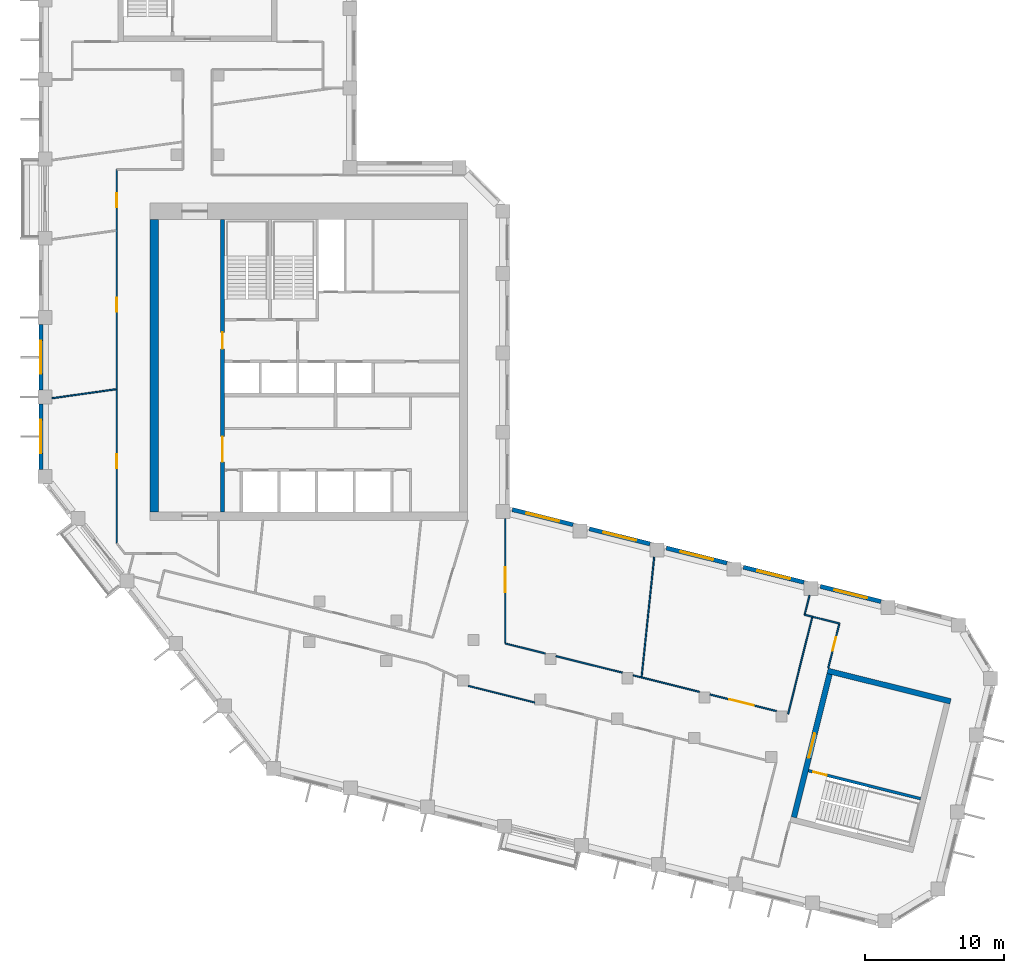
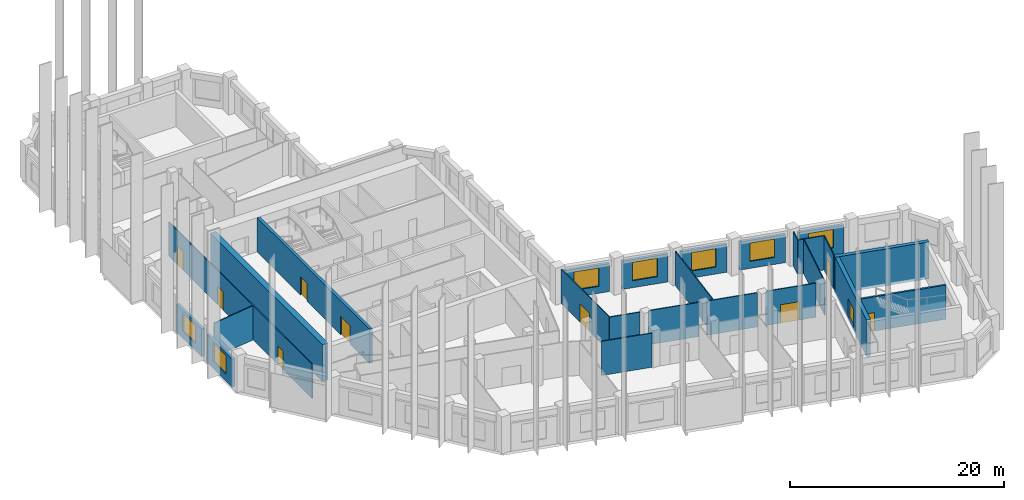
# One storey, part 4 of 9: 26 walls, 10 doors, 7 windows, 17 openings.
"""IFC4 building model written with IfcOpenShell, lengths in metres."""

from ifc_helpers import new_model, si_unit, direction, frame, frame_2d, origin, place, context, subcontext, project, spatial, rectangle, extrude, material, layer, layer_set, type_object, element, fill, save


model = new_model("IFC4")

# Units and contexts
model_context = context("Model", 3, precision=1e-05, world=origin(), true_north=direction((0.0, 1.0)))
body_context = subcontext(model_context, "Body", "Model", "MODEL_VIEW")
ifc_project = project(units=[si_unit("LENGTHUNIT", "METRE"), si_unit("AREAUNIT", "SQUARE_METRE"), si_unit("VOLUMEUNIT", "CUBIC_METRE"), si_unit("PLANEANGLEUNIT", "RADIAN"), si_unit("MASSUNIT", "GRAM", prefix="KILO")], contexts=[model_context])

# Site, building, storey
site_placement = place(None, origin())
site = spatial("IfcSite", under=ifc_project, at=site_placement, CompositionType="ELEMENT")
building_placement = place(site_placement, origin())
building = spatial("IfcBuilding", under=site, at=building_placement, Name="Meshkara Civic Tower", CompositionType="ELEMENT")
storey_placement = place(building_placement, frame((0.0, 0.0, 323.39990234375)))
storey = spatial("IfcBuildingStorey", under=building, at=storey_placement, Name="L74", CompositionType="ELEMENT", Elevation=323.39990234375)

# Wall
ifc_material_1 = material(Name="Concrete C60", Category="concrete")
ifc_layer_1 = layer(ifc_material_1, 0.60009765625)
ifc_layer_set_1 = layer_set([ifc_layer_1], Name="Core ring wall 600 C60")
wall_type_1 = type_object("IfcWallType", Name="Core ring wall 600 C60", PredefinedType="SHEAR", material=ifc_layer_set_1)
wall_1_placement = place(storey_placement, frame((8.300048828125, 14.699951171875, -0.2998046875), z_axis=(0.0, 0.0, 1.0), x_axis=(0.0, 1.0, 0.0)))
element("IfcWall", 1, at=wall_1_placement, inside=storey, type_object=wall_type_1, Name="L74-C003", PredefinedType="SHEAR", context=body_context, shape_type="SweptSolid", body=[
    extrude(rectangle(XDim=21.0, YDim=0.60009765625, at=frame_2d((10.5, 0.0))), origin(), (0.0, 0.0, 1.0), 4.199951171875),
])

# Wall, openings, doors
ifc_material_2 = material(Name="Concrete C60", Category="concrete")
ifc_layer_2 = layer(ifc_material_2, 0.300048828125)
ifc_layer_set_2 = layer_set([ifc_layer_2], Name="Core shear wall 300 C60")
wall_type_2 = type_object("IfcWallType", Name="Core shear wall 300 C60", PredefinedType="SHEAR", material=ifc_layer_set_2)
wall_2_placement = place(storey_placement, frame((13.199951171875, 14.699951171875, 0.0), z_axis=(0.0, 0.0, 1.0), x_axis=(0.0, 1.0, 0.0)))
wall_2 = element("IfcWall", 2, at=wall_2_placement, inside=storey, type_object=wall_type_2, Name="L74-C011", PredefinedType="SHEAR", context=body_context, shape_type="SweptSolid", body=[
    extrude(rectangle(XDim=21.0, YDim=0.300048828125, at=frame_2d((10.5, 0.0))), origin(), (0.0, 0.0, 1.0), 3.900146484375),
])
opening_1_placement = place(wall_2_placement, frame((3.60009765625, 0.0, 0.0)))
opening_1 = element("IfcOpeningElement", 3, at=opening_1_placement, cuts=wall_2, Name="Opening L74-K019", PredefinedType="OPENING", context=body_context, shape_type="SweptSolid", body=[
    extrude(rectangle(XDim=1.800048828125, YDim=2.10009765625, at=frame_2d((0.89990234375, 1.050048828125))), frame((0.0, 0.159912109375, 0.0), z_axis=(0.0, -1.0, 0.0), x_axis=(1.0, 0.0, 0.0)), (0.0, 0.0, 1.0), 0.320068359375),
])
opening_2_placement = place(wall_2_placement, frame((11.699951171875, 0.0, 0.0)))
opening_2 = element("IfcOpeningElement", 4, at=opening_2_placement, cuts=wall_2, Name="Opening L74-K020", PredefinedType="OPENING", context=body_context, shape_type="SweptSolid", body=[
    extrude(rectangle(XDim=1.199951171875, YDim=2.10009765625, at=frame_2d((0.60009765625, 1.050048828125))), frame((0.0, 0.159912109375, 0.0), z_axis=(0.0, -1.0, 0.0), x_axis=(1.0, 0.0, 0.0)), (0.0, 0.0, 1.0), 0.320068359375),
])
ifc_material_3 = material(Name="Fire-rated door leaf in steel frame", Category="steel")
door_type_1 = type_object("IfcDoorType", Name="Core double door 1800 EI 60", OperationType="DOUBLE_DOOR_SINGLE_SWING", PredefinedType="DOOR", material=ifc_material_3)
door_1_placement = place(opening_1_placement, origin())
door_1 = element("IfcDoor", 5, at=door_1_placement, inside=storey, type_object=door_type_1, Name="L74-K019", OperationType="DOUBLE_DOOR_SINGLE_SWING", OverallHeight=2.10009765625, OverallWidth=1.800048828125, PredefinedType="DOOR", context=body_context, shape_type="SweptSolid", body=[
    extrude(rectangle(XDim=1.800048828125, YDim=2.10009765625, at=frame_2d((0.89990234375, 1.050048828125))), frame((0.0, 0.02490234375, 0.0), z_axis=(0.0, -1.0, 0.0), x_axis=(1.0, 0.0, 0.0)), (0.0, 0.0, 1.0), 0.050048828125),
])
fill(opening_1, door_1)
ifc_material_4 = material(Name="Fire-rated door leaf in steel frame", Category="steel")
door_type_2 = type_object("IfcDoorType", Name="Fire-fighting lobby door 1200 EI 120", OperationType="SINGLE_SWING_LEFT", PredefinedType="DOOR", material=ifc_material_4)
door_2_placement = place(opening_2_placement, origin())
door_2 = element("IfcDoor", 6, at=door_2_placement, inside=storey, type_object=door_type_2, Name="L74-K020", OperationType="SINGLE_SWING_LEFT", OverallHeight=2.10009765625, OverallWidth=1.199951171875, PredefinedType="DOOR", context=body_context, shape_type="SweptSolid", body=[
    extrude(rectangle(XDim=1.199951171875, YDim=2.10009765625, at=frame_2d((0.60009765625, 1.050048828125))), frame((0.0, 0.02490234375, 0.0), z_axis=(0.0, -1.0, 0.0), x_axis=(1.0, 0.0, 0.0)), (0.0, 0.0, 1.0), 0.050048828125),
])
fill(opening_2, door_2)

ifc_material_5 = material(Name="Corridor wall 100")
ifc_layer_3 = layer(ifc_material_5, 0.10009765625)
ifc_layer_set_3 = layer_set([ifc_layer_3], Name="Corridor wall 100")
wall_type_3 = type_object("IfcWallType", Name="Corridor wall 100", PredefinedType="PARTITIONING", material=ifc_layer_set_3)
wall_3_placement = place(storey_placement, frame((5.60009765625, 12.449951171875, 0.0), z_axis=(0.0, 0.0, 1.0), x_axis=(0.0, 1.0, 0.0)))
wall_3 = element("IfcWall", 7, at=wall_3_placement, inside=storey, type_object=wall_type_3, Name="L74-W003", PredefinedType="PARTITIONING", context=body_context, shape_type="SweptSolid", body=[
    extrude(rectangle(XDim=26.85009765625, YDim=0.10009765625, at=frame_2d((13.425048828125, 0.0))), origin(), (0.0, 0.0, 1.0), 3.900146484375),
])
opening_3_placement = place(wall_3_placement, frame((5.3798828125, 0.0, 0.0)))
opening_3 = element("IfcOpeningElement", 8, at=opening_3_placement, cuts=wall_3, Name="Opening L74-D013", PredefinedType="OPENING", context=body_context, shape_type="SweptSolid", body=[
    extrude(rectangle(XDim=1.0, YDim=2.10009765625, at=frame_2d((0.5, 1.050048828125))), frame((0.0, 0.06005859375, 0.0), z_axis=(0.0, -1.0, 0.0), x_axis=(1.0, 0.0, 0.0)), (0.0, 0.0, 1.0), 0.1201171875),
])
opening_4_placement = place(wall_3_placement, frame((16.638916015625, 0.0, 0.0)))
opening_4 = element("IfcOpeningElement", 9, at=opening_4_placement, cuts=wall_3, Name="Opening L74-D014", PredefinedType="OPENING", context=body_context, shape_type="SweptSolid", body=[
    extrude(rectangle(XDim=1.0, YDim=2.10009765625, at=frame_2d((0.5, 1.050048828125))), frame((0.0, 0.06005859375, 0.0), z_axis=(0.0, -1.0, 0.0), x_axis=(1.0, 0.0, 0.0)), (0.0, 0.0, 1.0), 0.1201171875),
])
opening_5_placement = place(wall_3_placement, frame((24.138916015625, 0.0, 0.0)))
opening_5 = element("IfcOpeningElement", 10, at=opening_5_placement, cuts=wall_3, Name="Opening L74-D015", PredefinedType="OPENING", context=body_context, shape_type="SweptSolid", body=[
    extrude(rectangle(XDim=1.0, YDim=2.10009765625, at=frame_2d((0.5, 1.050048828125))), frame((0.0, 0.06005859375, 0.0), z_axis=(0.0, -1.0, 0.0), x_axis=(1.0, 0.0, 0.0)), (0.0, 0.0, 1.0), 0.1201171875),
])
ifc_material_6 = material(Name="Door 1000 x 2100")
door_type_3 = type_object("IfcDoorType", Name="Door 1000 x 2100", OperationType="SINGLE_SWING_LEFT", PredefinedType="DOOR", material=ifc_material_6)
door_3_placement = place(opening_3_placement, origin())
door_3 = element("IfcDoor", 11, at=door_3_placement, inside=storey, type_object=door_type_3, Name="L74-D013", OperationType="SINGLE_SWING_RIGHT", OverallHeight=2.10009765625, OverallWidth=1.0, PredefinedType="DOOR", context=body_context, shape_type="SweptSolid", body=[
    extrude(rectangle(XDim=1.0, YDim=2.10009765625, at=frame_2d((0.5, 1.050048828125))), frame((0.0, 0.02490234375, 0.0), z_axis=(0.0, -1.0, 0.0), x_axis=(1.0, 0.0, 0.0)), (0.0, 0.0, 1.0), 0.050048828125),
])
fill(opening_3, door_3)
door_4_placement = place(opening_4_placement, origin())
door_4 = element("IfcDoor", 12, at=door_4_placement, inside=storey, type_object=door_type_3, Name="L74-D014", OperationType="SINGLE_SWING_RIGHT", OverallHeight=2.10009765625, OverallWidth=1.0, PredefinedType="DOOR", context=body_context, shape_type="SweptSolid", body=[
    extrude(rectangle(XDim=1.0, YDim=2.10009765625, at=frame_2d((0.5, 1.050048828125))), frame((0.0, 0.02490234375, 0.0), z_axis=(0.0, -1.0, 0.0), x_axis=(1.0, 0.0, 0.0)), (0.0, 0.0, 1.0), 0.050048828125),
])
fill(opening_4, door_4)
door_5_placement = place(opening_5_placement, origin())
door_5 = element("IfcDoor", 13, at=door_5_placement, inside=storey, type_object=door_type_3, Name="L74-D015", OperationType="SINGLE_SWING_LEFT", OverallHeight=2.10009765625, OverallWidth=1.0, PredefinedType="DOOR", context=body_context, shape_type="SweptSolid", body=[
    extrude(rectangle(XDim=1.0, YDim=2.10009765625, at=frame_2d((0.5, 1.050048828125))), frame((0.0, 0.02490234375, 0.0), z_axis=(0.0, -1.0, 0.0), x_axis=(1.0, 0.0, 0.0)), (0.0, 0.0, 1.0), 0.050048828125),
])
fill(opening_5, door_5)

# Wall
wall_4_placement = place(storey_placement, frame((30.84912109375, 2.201904296875, 0.0), z_axis=(0.0, 0.0, 1.0), x_axis=(0.970320559999, -0.241822271189, 0.0)))
element("IfcWall", 14, at=wall_4_placement, inside=storey, type_object=wall_type_3, Name="L74-W020", PredefinedType="PARTITIONING", context=body_context, shape_type="SweptSolid", body=[
    extrude(rectangle(XDim=4.91259765625, YDim=0.10009765625, at=frame_2d((2.456298828125, 0.0))), origin(), (0.0, 0.0, 1.0), 3.900146484375),
])

# Wall, opening, door
wall_5_placement = place(storey_placement, frame((33.5, 5.2509765625, 0.0), z_axis=(0.0, 0.0, 1.0), x_axis=(0.0, 1.0, 0.0)))
wall_5 = element("IfcWall", 15, at=wall_5_placement, inside=storey, type_object=wall_type_3, Name="L74-W022", PredefinedType="PARTITIONING", context=body_context, shape_type="SweptSolid", body=[
    extrude(rectangle(XDim=8.968017578125, YDim=0.10009765625, at=frame_2d((4.48388671875, 0.0))), origin(), (0.0, 0.0, 1.0), 3.900146484375),
])
opening_6_placement = place(wall_5_placement, frame((3.679931640625, 0.0, 0.0)))
opening_6 = element("IfcOpeningElement", 16, at=opening_6_placement, cuts=wall_5, Name="Opening L74-D012", PredefinedType="OPENING", context=body_context, shape_type="SweptSolid", body=[
    extrude(rectangle(XDim=1.800048828125, YDim=2.10009765625, at=frame_2d((0.89990234375, 1.050048828125))), frame((0.0, 0.06005859375, 0.0), z_axis=(0.0, -1.0, 0.0), x_axis=(1.0, 0.0, 0.0)), (0.0, 0.0, 1.0), 0.1201171875),
])
ifc_material_7 = material(Name="Door pair 1800 x 2100")
door_type_4 = type_object("IfcDoorType", Name="Door pair 1800 x 2100", OperationType="SINGLE_SWING_LEFT", PredefinedType="DOOR", material=ifc_material_7)
door_6_placement = place(opening_6_placement, origin())
door_6 = element("IfcDoor", 17, at=door_6_placement, inside=storey, type_object=door_type_4, Name="L74-D012", OperationType="DOUBLE_DOOR_SINGLE_SWING", OverallHeight=2.10009765625, OverallWidth=1.800048828125, PredefinedType="DOOR", context=body_context, shape_type="SweptSolid", body=[
    extrude(rectangle(XDim=1.800048828125, YDim=2.10009765625, at=frame_2d((0.89990234375, 1.050048828125))), frame((0.0, 0.02490234375, 0.0), z_axis=(0.0, -1.0, 0.0), x_axis=(1.0, 0.0, 0.0)), (0.0, 0.0, 1.0), 0.050048828125),
])
fill(opening_6, door_6)

# Walls
wall_6_placement = place(storey_placement, frame((36.376953125, 4.533935546875, 0.0), z_axis=(0.0, 0.0, 1.0), x_axis=(-0.97031662044, 0.241838078261, 0.0)))
element("IfcWall", 18, at=wall_6_placement, inside=storey, type_object=wall_type_3, Name="L74-W024", PredefinedType="PARTITIONING", context=body_context, shape_type="SweptSolid", body=[
    extrude(rectangle(XDim=2.96484375, YDim=0.10009765625, at=frame_2d((1.482421875, 0.0))), origin(), (0.0, 0.0, 1.0), 3.900146484375),
])
wall_7_placement = place(storey_placement, frame((41.908935546875, 3.155029296875, 0.0), z_axis=(0.0, 0.0, 1.0), x_axis=(-0.970320559999, 0.241822271189, 0.0)))
element("IfcWall", 19, at=wall_7_placement, inside=storey, type_object=wall_type_3, Name="L74-W026", PredefinedType="PARTITIONING", context=body_context, shape_type="SweptSolid", body=[
    extrude(rectangle(XDim=4.91259765625, YDim=0.10009765625, at=frame_2d((2.456298828125, 0.0))), origin(), (0.0, 0.0, 1.0), 3.900146484375),
])
wall_8_placement = place(storey_placement, frame((42.672119140625, 2.965087890625, 0.0), z_axis=(0.0, 0.0, 1.0), x_axis=(0.970273873313, -0.242009526187, 0.0)))
element("IfcWall", 20, at=wall_8_placement, inside=storey, type_object=wall_type_3, Name="L74-W027", PredefinedType="PARTITIONING", context=body_context, shape_type="SweptSolid", body=[
    extrude(rectangle(XDim=4.913818359375, YDim=0.10009765625, at=frame_2d((2.45703125, 0.0))), origin(), (0.0, 0.0, 1.0), 3.900146484375),
])

# Wall, opening, door
wall_9_placement = place(storey_placement, frame((52.971923828125, 0.39697265625, 0.0), z_axis=(0.0, 0.0, 1.0), x_axis=(-0.970300077675, 0.241904442422, 0.0)))
wall_9 = element("IfcWall", 21, at=wall_9_placement, inside=storey, type_object=wall_type_3, Name="L74-W031", PredefinedType="PARTITIONING", context=body_context, shape_type="SweptSolid", body=[
    extrude(rectangle(XDim=4.9150390625, YDim=0.10009765625, at=frame_2d((2.45751953125, 0.0))), origin(), (0.0, 0.0, 1.0), 3.900146484375),
])
opening_7_placement = place(wall_9_placement, frame((1.679931640625, 0.0, 0.0)))
opening_7 = element("IfcOpeningElement", 22, at=opening_7_placement, cuts=wall_9, Name="Opening L74-D006", PredefinedType="OPENING", context=body_context, shape_type="SweptSolid", body=[
    extrude(rectangle(XDim=1.800048828125, YDim=2.10009765625, at=frame_2d((0.89990234375, 1.050048828125))), frame((0.0, 0.06005859375, 0.0), z_axis=(0.0, -1.0, 0.0), x_axis=(1.0, 0.0, 0.0)), (0.0, 0.0, 1.0), 0.1201171875),
])
door_7_placement = place(opening_7_placement, origin())
door_7 = element("IfcDoor", 23, at=door_7_placement, inside=storey, type_object=door_type_4, Name="L74-D006", OperationType="DOUBLE_DOOR_SINGLE_SWING", OverallHeight=2.10009765625, OverallWidth=1.800048828125, PredefinedType="DOOR", context=body_context, shape_type="SweptSolid", body=[
    extrude(rectangle(XDim=1.800048828125, YDim=2.10009765625, at=frame_2d((0.89990234375, 1.050048828125))), frame((0.0, 0.02490234375, 0.0), z_axis=(0.0, -1.0, 0.0), x_axis=(1.0, 0.0, 0.0)), (0.0, 0.0, 1.0), 0.050048828125),
])
fill(opening_7, door_7)

# Wall
wall_10_placement = place(storey_placement, frame((55.555908203125, 7.173095703125, 0.0), z_axis=(0.0, 0.0, 1.0), x_axis=(-0.241937193493, -0.970291911955, 0.0)))
element("IfcWall", 24, at=wall_10_placement, inside=storey, type_object=wall_type_3, Name="L74-W033", PredefinedType="PARTITIONING", context=body_context, shape_type="SweptSolid", body=[
    extrude(rectangle(XDim=7.199951171875, YDim=0.10009765625, at=frame_2d((3.60009765625, 0.0))), origin(), (0.0, 0.0, 1.0), 3.900146484375),
])

# Wall, opening, door
wall_11_placement = place(storey_placement, frame((56.697998046875, 3.487060546875, 0.0), z_axis=(0.0, 0.0, 1.0), x_axis=(0.241856645367, 0.970311992656, 0.0)))
wall_11 = element("IfcWall", 25, at=wall_11_placement, inside=storey, type_object=wall_type_3, Name="L74-W034", PredefinedType="PARTITIONING", context=body_context, shape_type="SweptSolid", body=[
    extrude(rectangle(XDim=3.2998046875, YDim=0.10009765625, at=frame_2d((1.64990234375, 0.0))), origin(), (0.0, 0.0, 1.0), 3.900146484375),
])
opening_8_placement = place(wall_11_placement, frame((1.280029296875, 0.0, 0.0)))
opening_8 = element("IfcOpeningElement", 26, at=opening_8_placement, cuts=wall_11, Name="Opening L74-D007", PredefinedType="OPENING", context=body_context, shape_type="SweptSolid", body=[
    extrude(rectangle(XDim=1.0, YDim=2.10009765625, at=frame_2d((0.5, 1.050048828125))), frame((0.0, 0.06005859375, 0.0), z_axis=(0.0, -1.0, 0.0), x_axis=(1.0, 0.0, 0.0)), (0.0, 0.0, 1.0), 0.1201171875),
])
door_8_placement = place(opening_8_placement, origin())
door_8 = element("IfcDoor", 27, at=door_8_placement, inside=storey, type_object=door_type_3, Name="L74-D007", OperationType="SINGLE_SWING_LEFT", OverallHeight=2.10009765625, OverallWidth=1.0, PredefinedType="DOOR", context=body_context, shape_type="SweptSolid", body=[
    extrude(rectangle(XDim=1.0, YDim=2.10009765625, at=frame_2d((0.5, 1.050048828125))), frame((0.0, 0.02490234375, 0.0), z_axis=(0.0, -1.0, 0.0), x_axis=(1.0, 0.0, 0.0)), (0.0, 0.0, 1.0), 0.050048828125),
])
fill(opening_8, door_8)

# Wall
wall_12_placement = place(storey_placement, frame((57.49609375, 6.68896484375, 0.0), z_axis=(0.0, 0.0, 1.0), x_axis=(-0.970250131019, 0.242104694829, 0.0)))
element("IfcWall", 28, at=wall_12_placement, inside=storey, type_object=wall_type_3, Name="L74-W035", PredefinedType="PARTITIONING", context=body_context, shape_type="SweptSolid", body=[
    extrude(rectangle(XDim=1.999755859375, YDim=0.10009765625, at=frame_2d((1.0, 0.0))), origin(), (0.0, 0.0, 1.0), 3.900146484375),
])

# Wall, opening, window
ifc_material_8 = material(Name="Insulated infill panel with bronze anodised aluminium cladding", Category="aluminium")
ifc_layer_4 = layer(ifc_material_8, 0.300048828125)
ifc_layer_set_4 = layer_set([ifc_layer_4], Name="EXTERNAL INFILL WALL 300")
wall_type_4 = type_object("IfcWallType", Name="EXTERNAL INFILL WALL 300", PredefinedType="SOLIDWALL", material=ifc_layer_set_4)
wall_13_placement = place(storey_placement, frame((60.488037109375, 8.261962890625, 0.0), z_axis=(0.0, 0.0, 1.0), x_axis=(-0.970276766004, 0.241997928406, 0.0)))
wall_13 = element("IfcWall", 29, at=wall_13_placement, inside=storey, type_object=wall_type_4, Name="External wall", PredefinedType="SOLIDWALL", context=body_context, shape_type="SweptSolid", body=[
    extrude(rectangle(XDim=4.4873046875, YDim=0.300048828125, at=frame_2d((2.24365234375, 0.0))), origin(), (0.0, 0.0, 1.0), 3.2001953125),
])
opening_9_placement = place(wall_13_placement, frame((1.0439453125, 0.0, 0.800048828125)))
opening_9 = element("IfcOpeningElement", 30, at=opening_9_placement, cuts=wall_13, Name="Opening W7", PredefinedType="OPENING", context=body_context, shape_type="SweptSolid", body=[
    extrude(rectangle(XDim=2.39990234375, YDim=2.10009765625, at=frame_2d((1.199951171875, 1.050048828125))), frame((0.0, 0.159912109375, 0.0), z_axis=(0.0, -1.0, 0.0), x_axis=(1.0, 0.0, 0.0)), (0.0, 0.0, 1.0), 0.320068359375),
])
ifc_material_9 = material(Name="Tinted double glazing", Category="glass")
window_type = type_object("IfcWindowType", Name="WINDOW 2400x2100", PartitioningType="DOUBLE_PANEL_VERTICAL", PredefinedType="WINDOW", material=ifc_material_9)
window_1_placement = place(opening_9_placement, origin())
window_1 = element("IfcWindow", 31, at=window_1_placement, inside=storey, type_object=window_type, Name="Window", OverallHeight=2.10009765625, OverallWidth=2.39990234375, PartitioningType="DOUBLE_PANEL_VERTICAL", PredefinedType="WINDOW", context=body_context, shape_type="SweptSolid", body=[
    extrude(rectangle(XDim=2.39990234375, YDim=2.10009765625, at=frame_2d((1.199951171875, 1.050048828125))), frame((0.0, 0.030029296875, 0.0), z_axis=(0.0, -1.0, 0.0), x_axis=(1.0, 0.0, 0.0)), (0.0, 0.0, 1.0), 0.06005859375),
])
fill(opening_9, window_1)

wall_14_placement = place(storey_placement, frame((54.9580078125, 9.64111328125, 0.0), z_axis=(0.0, 0.0, 1.0), x_axis=(-0.970289506684, 0.241946839653, 0.0)))
wall_14 = element("IfcWall", 32, at=wall_14_placement, inside=storey, type_object=wall_type_4, Name="External wall", PredefinedType="SOLIDWALL", context=body_context, shape_type="SweptSolid", body=[
    extrude(rectangle(XDim=4.48828125, YDim=0.300048828125, at=frame_2d((2.244140625, 0.0))), origin(), (0.0, 0.0, 1.0), 3.2001953125),
])
opening_10_placement = place(wall_14_placement, frame((1.0439453125, 0.0, 0.800048828125)))
opening_10 = element("IfcOpeningElement", 33, at=opening_10_placement, cuts=wall_14, Name="Opening W7", PredefinedType="OPENING", context=body_context, shape_type="SweptSolid", body=[
    extrude(rectangle(XDim=2.39990234375, YDim=2.10009765625, at=frame_2d((1.199951171875, 1.050048828125))), frame((0.0, 0.159912109375, 0.0), z_axis=(0.0, -1.0, 0.0), x_axis=(1.0, 0.0, 0.0)), (0.0, 0.0, 1.0), 0.320068359375),
])
window_2_placement = place(opening_10_placement, origin())
window_2 = element("IfcWindow", 34, at=window_2_placement, inside=storey, type_object=window_type, Name="Window", OverallHeight=2.10009765625, OverallWidth=2.39990234375, PartitioningType="DOUBLE_PANEL_VERTICAL", PredefinedType="WINDOW", context=body_context, shape_type="SweptSolid", body=[
    extrude(rectangle(XDim=2.39990234375, YDim=2.10009765625, at=frame_2d((1.199951171875, 1.050048828125))), frame((0.0, 0.030029296875, 0.0), z_axis=(0.0, -1.0, 0.0), x_axis=(1.0, 0.0, 0.0)), (0.0, 0.0, 1.0), 0.06005859375),
])
fill(opening_10, window_2)

wall_15_placement = place(storey_placement, frame((49.427001953125, 11.02001953125, 0.0), z_axis=(0.0, 0.0, 1.0), x_axis=(-0.970289506684, 0.241946839653, 0.0)))
wall_15 = element("IfcWall", 35, at=wall_15_placement, inside=storey, type_object=wall_type_4, Name="External wall", PredefinedType="SOLIDWALL", context=body_context, shape_type="SweptSolid", body=[
    extrude(rectangle(XDim=4.48828125, YDim=0.300048828125, at=frame_2d((2.244140625, 0.0))), origin(), (0.0, 0.0, 1.0), 3.2001953125),
])
opening_11_placement = place(wall_15_placement, frame((1.0439453125, 0.0, 0.800048828125)))
opening_11 = element("IfcOpeningElement", 36, at=opening_11_placement, cuts=wall_15, Name="Opening W7", PredefinedType="OPENING", context=body_context, shape_type="SweptSolid", body=[
    extrude(rectangle(XDim=2.39990234375, YDim=2.10009765625, at=frame_2d((1.199951171875, 1.050048828125))), frame((0.0, 0.159912109375, 0.0), z_axis=(0.0, -1.0, 0.0), x_axis=(1.0, 0.0, 0.0)), (0.0, 0.0, 1.0), 0.320068359375),
])
window_3_placement = place(opening_11_placement, origin())
window_3 = element("IfcWindow", 37, at=window_3_placement, inside=storey, type_object=window_type, Name="Window", OverallHeight=2.10009765625, OverallWidth=2.39990234375, PartitioningType="DOUBLE_PANEL_VERTICAL", PredefinedType="WINDOW", context=body_context, shape_type="SweptSolid", body=[
    extrude(rectangle(XDim=2.39990234375, YDim=2.10009765625, at=frame_2d((1.199951171875, 1.050048828125))), frame((0.0, 0.030029296875, 0.0), z_axis=(0.0, -1.0, 0.0), x_axis=(1.0, 0.0, 0.0)), (0.0, 0.0, 1.0), 0.06005859375),
])
fill(opening_11, window_3)

wall_16_placement = place(storey_placement, frame((43.89599609375, 12.39892578125, 0.0), z_axis=(0.0, 0.0, 1.0), x_axis=(-0.970263990019, 0.242049147224, 0.0)))
wall_16 = element("IfcWall", 38, at=wall_16_placement, inside=storey, type_object=wall_type_4, Name="External wall", PredefinedType="SOLIDWALL", context=body_context, shape_type="SweptSolid", body=[
    extrude(rectangle(XDim=4.487548828125, YDim=0.300048828125, at=frame_2d((2.24365234375, 0.0))), origin(), (0.0, 0.0, 1.0), 3.2001953125),
])
opening_12_placement = place(wall_16_placement, frame((1.0439453125, 0.0, 0.800048828125)))
opening_12 = element("IfcOpeningElement", 39, at=opening_12_placement, cuts=wall_16, Name="Opening W7", PredefinedType="OPENING", context=body_context, shape_type="SweptSolid", body=[
    extrude(rectangle(XDim=2.39990234375, YDim=2.10009765625, at=frame_2d((1.199951171875, 1.050048828125))), frame((0.0, 0.159912109375, 0.0), z_axis=(0.0, -1.0, 0.0), x_axis=(1.0, 0.0, 0.0)), (0.0, 0.0, 1.0), 0.320068359375),
])
window_4_placement = place(opening_12_placement, origin())
window_4 = element("IfcWindow", 40, at=window_4_placement, inside=storey, type_object=window_type, Name="Window", OverallHeight=2.10009765625, OverallWidth=2.39990234375, PartitioningType="DOUBLE_PANEL_VERTICAL", PredefinedType="WINDOW", context=body_context, shape_type="SweptSolid", body=[
    extrude(rectangle(XDim=2.39990234375, YDim=2.10009765625, at=frame_2d((1.199951171875, 1.050048828125))), frame((0.0, 0.030029296875, 0.0), z_axis=(0.0, -1.0, 0.0), x_axis=(1.0, 0.0, 0.0)), (0.0, 0.0, 1.0), 0.06005859375),
])
fill(opening_12, window_4)

wall_17_placement = place(storey_placement, frame((38.365966796875, 13.778076171875, 0.0), z_axis=(0.0, 0.0, 1.0), x_axis=(-0.970289506684, 0.241946839653, 0.0)))
wall_17 = element("IfcWall", 41, at=wall_17_placement, inside=storey, type_object=wall_type_4, Name="External wall", PredefinedType="SOLIDWALL", context=body_context, shape_type="SweptSolid", body=[
    extrude(rectangle(XDim=4.48828125, YDim=0.300048828125, at=frame_2d((2.244140625, 0.0))), origin(), (0.0, 0.0, 1.0), 3.2001953125),
])
opening_13_placement = place(wall_17_placement, frame((1.0439453125, 0.0, 0.800048828125)))
opening_13 = element("IfcOpeningElement", 42, at=opening_13_placement, cuts=wall_17, Name="Opening W7", PredefinedType="OPENING", context=body_context, shape_type="SweptSolid", body=[
    extrude(rectangle(XDim=2.39990234375, YDim=2.10009765625, at=frame_2d((1.199951171875, 1.050048828125))), frame((0.0, 0.159912109375, 0.0), z_axis=(0.0, -1.0, 0.0), x_axis=(1.0, 0.0, 0.0)), (0.0, 0.0, 1.0), 0.320068359375),
])
window_5_placement = place(opening_13_placement, origin())
window_5 = element("IfcWindow", 43, at=window_5_placement, inside=storey, type_object=window_type, Name="Window", OverallHeight=2.10009765625, OverallWidth=2.39990234375, PartitioningType="DOUBLE_PANEL_VERTICAL", PredefinedType="WINDOW", context=body_context, shape_type="SweptSolid", body=[
    extrude(rectangle(XDim=2.39990234375, YDim=2.10009765625, at=frame_2d((1.199951171875, 1.050048828125))), frame((0.0, 0.030029296875, 0.0), z_axis=(0.0, -1.0, 0.0), x_axis=(1.0, 0.0, 0.0)), (0.0, 0.0, 1.0), 0.06005859375),
])
fill(opening_13, window_5)

wall_18_placement = place(storey_placement, frame((0.14990234375, 28.155029296875, 0.0), z_axis=(0.0, 0.0, 1.0), x_axis=(0.0, -1.0, 0.0)))
wall_18 = element("IfcWall", 44, at=wall_18_placement, inside=storey, type_object=wall_type_4, Name="External wall", PredefinedType="SOLIDWALL", context=body_context, shape_type="SweptSolid", body=[
    extrude(rectangle(XDim=4.699951171875, YDim=0.300048828125, at=frame_2d((2.35009765625, 0.0))), origin(), (0.0, 0.0, 1.0), 3.2001953125),
])
opening_14_placement = place(wall_18_placement, frame((1.14990234375, 0.0, 0.800048828125)))
opening_14 = element("IfcOpeningElement", 45, at=opening_14_placement, cuts=wall_18, Name="Opening W7", PredefinedType="OPENING", context=body_context, shape_type="SweptSolid", body=[
    extrude(rectangle(XDim=2.39990234375, YDim=2.10009765625, at=frame_2d((1.199951171875, 1.050048828125))), frame((0.0, 0.159912109375, 0.0), z_axis=(0.0, -1.0, 0.0), x_axis=(1.0, 0.0, 0.0)), (0.0, 0.0, 1.0), 0.320068359375),
])
window_6_placement = place(opening_14_placement, origin())
window_6 = element("IfcWindow", 46, at=window_6_placement, inside=storey, type_object=window_type, Name="Window", OverallHeight=2.10009765625, OverallWidth=2.39990234375, PartitioningType="DOUBLE_PANEL_VERTICAL", PredefinedType="WINDOW", context=body_context, shape_type="SweptSolid", body=[
    extrude(rectangle(XDim=2.39990234375, YDim=2.10009765625, at=frame_2d((1.199951171875, 1.050048828125))), frame((0.0, 0.030029296875, 0.0), z_axis=(0.0, -1.0, 0.0), x_axis=(1.0, 0.0, 0.0)), (0.0, 0.0, 1.0), 0.06005859375),
])
fill(opening_14, window_6)

wall_19_placement = place(storey_placement, frame((0.14990234375, 22.455078125, 0.0), z_axis=(0.0, 0.0, 1.0), x_axis=(0.0, -1.0, 0.0)))
wall_19 = element("IfcWall", 47, at=wall_19_placement, inside=storey, type_object=wall_type_4, Name="External wall", PredefinedType="SOLIDWALL", context=body_context, shape_type="SweptSolid", body=[
    extrude(rectangle(XDim=4.7001953125, YDim=0.300048828125, at=frame_2d((2.35009765625, 0.0))), origin(), (0.0, 0.0, 1.0), 3.2001953125),
])
opening_15_placement = place(wall_19_placement, frame((1.14990234375, 0.0, 0.800048828125)))
opening_15 = element("IfcOpeningElement", 48, at=opening_15_placement, cuts=wall_19, Name="Opening W7", PredefinedType="OPENING", context=body_context, shape_type="SweptSolid", body=[
    extrude(rectangle(XDim=2.39990234375, YDim=2.10009765625, at=frame_2d((1.199951171875, 1.050048828125))), frame((0.0, 0.159912109375, 0.0), z_axis=(0.0, -1.0, 0.0), x_axis=(1.0, 0.0, 0.0)), (0.0, 0.0, 1.0), 0.320068359375),
])
window_7_placement = place(opening_15_placement, origin())
window_7 = element("IfcWindow", 49, at=window_7_placement, inside=storey, type_object=window_type, Name="Window", OverallHeight=2.10009765625, OverallWidth=2.39990234375, PartitioningType="DOUBLE_PANEL_VERTICAL", PredefinedType="WINDOW", context=body_context, shape_type="SweptSolid", body=[
    extrude(rectangle(XDim=2.39990234375, YDim=2.10009765625, at=frame_2d((1.199951171875, 1.050048828125))), frame((0.0, 0.030029296875, 0.0), z_axis=(0.0, -1.0, 0.0), x_axis=(1.0, 0.0, 0.0)), (0.0, 0.0, 1.0), 0.06005859375),
])
fill(opening_15, window_7)

# Wall
ifc_material_10 = material(Name="Concrete C60", Category="concrete")
ifc_layer_5 = layer(ifc_material_10, 0.39990234375)
ifc_layer_set_5 = layer_set([ifc_layer_5], Name="End core ring wall 400 C60")
wall_type_5 = type_object("IfcWallType", Name="End core ring wall 400 C60", PredefinedType="SHEAR", material=ifc_layer_set_5)
wall_20_placement = place(storey_placement, frame((56.64892578125, 3.29296875, -0.2998046875), z_axis=(0.0, 0.0, 1.0), x_axis=(0.970312696888, -0.241853820019, 0.0)))
element("IfcWall", 50, at=wall_20_placement, inside=storey, type_object=wall_type_5, Name="L74-C033", PredefinedType="SHEAR", context=body_context, shape_type="SweptSolid", body=[
    extrude(rectangle(XDim=9.100341796875, YDim=0.39990234375, at=frame_2d((4.55029296875, 0.0))), origin(), (0.0, 0.0, 1.0), 4.199951171875),
])

# Wall, opening, door
wall_21_placement = place(storey_placement, frame((54.23095703125, -7.23388671875, -0.2998046875), z_axis=(0.0, 0.0, 1.0), x_axis=(0.241890652548, 0.970303515509, 0.0)))
wall_21 = element("IfcWall", 51, at=wall_21_placement, inside=storey, type_object=wall_type_5, Name="L74-C034", PredefinedType="SHEAR", context=body_context, shape_type="SweptSolid", body=[
    extrude(rectangle(XDim=10.599609375, YDim=0.39990234375, at=frame_2d((5.2998046875, 0.0))), origin(), (0.0, 0.0, 1.0), 4.199951171875),
])
opening_16_placement = place(wall_21_placement, frame((4.39990234375, 0.0, 0.300048828125)))
opening_16 = element("IfcOpeningElement", 52, at=opening_16_placement, cuts=wall_21, Name="Opening L74-K202", PredefinedType="OPENING", context=body_context, shape_type="SweptSolid", body=[
    extrude(rectangle(XDim=1.800048828125, YDim=2.10009765625, at=frame_2d((0.89990234375, 1.050048828125))), frame((0.0, 0.2099609375, 0.0), z_axis=(0.0, -1.0, 0.0), x_axis=(1.0, 0.0, 0.0)), (0.0, 0.0, 1.0), 0.419921875),
])
door_9_placement = place(opening_16_placement, origin())
door_9 = element("IfcDoor", 53, at=door_9_placement, inside=storey, type_object=door_type_1, Name="L74-K202", OperationType="DOUBLE_DOOR_SINGLE_SWING", OverallHeight=2.10009765625, OverallWidth=1.800048828125, PredefinedType="DOOR", context=body_context, shape_type="SweptSolid", body=[
    extrude(rectangle(XDim=1.800048828125, YDim=2.10009765625, at=frame_2d((0.89990234375, 1.050048828125))), frame((0.0, 0.02490234375, 0.0), z_axis=(0.0, -1.0, 0.0), x_axis=(1.0, 0.0, 0.0)), (0.0, 0.0, 1.0), 0.050048828125),
])
fill(opening_16, door_9)

# Walls
ifc_material_11 = material(Name="Partition 100")
ifc_layer_6 = layer(ifc_material_11, 0.10009765625)
ifc_layer_set_6 = layer_set([ifc_layer_6], Name="Partition 100")
wall_type_6 = type_object("IfcWallType", Name="Partition 100", PredefinedType="PARTITIONING", material=ifc_layer_set_6)
wall_22_placement = place(storey_placement, frame((5.54296875, 23.509033203125, 0.0), z_axis=(0.0, 0.0, 1.0), x_axis=(-0.990253516423, -0.139276606839, 0.0)))
element("IfcWall", 54, at=wall_22_placement, inside=storey, type_object=wall_type_6, Name="L74-W038", PredefinedType="PARTITIONING", context=body_context, shape_type="SweptSolid", body=[
    extrude(rectangle(XDim=4.63818359375, YDim=0.10009765625, at=frame_2d((2.319091796875, 0.0))), origin(), (0.0, 0.0, 1.0), 3.900146484375),
])
wall_23_placement = place(storey_placement, frame((43.294921875, 2.867919921875, 0.0), z_axis=(0.0, 0.0, 1.0), x_axis=(0.10451857643, 0.994522934467, 0.0)))
element("IfcWall", 55, at=wall_23_placement, inside=storey, type_object=wall_type_6, Name="L74-W051", PredefinedType="PARTITIONING", context=body_context, shape_type="SweptSolid", body=[
    extrude(rectangle(XDim=8.640380859375, YDim=0.10009765625, at=frame_2d((4.3203125, 0.0))), origin(), (0.0, 0.0, 1.0), 3.900146484375),
])
wall_24_placement = place(storey_placement, frame((55.0009765625, 7.31103515625, 0.0), z_axis=(0.0, 0.0, 1.0), x_axis=(0.24185476373, 0.970312461664, 0.0)))
element("IfcWall", 56, at=wall_24_placement, inside=storey, type_object=wall_type_6, Name="L74-W055", PredefinedType="PARTITIONING", context=body_context, shape_type="SweptSolid", body=[
    extrude(rectangle(XDim=1.434326171875, YDim=0.10009765625, at=frame_2d((0.71728515625, 0.0))), origin(), (0.0, 0.0, 1.0), 3.900146484375),
])
wall_25_placement = place(storey_placement, frame((55.56005859375, 7.172119140625, 0.0), z_axis=(0.0, 0.0, 1.0), x_axis=(-0.970490503334, 0.241139343405, 0.0)))
element("IfcWall", 57, at=wall_25_placement, inside=storey, type_object=wall_type_6, Name="L74-W056", PredefinedType="PARTITIONING", context=body_context, shape_type="SweptSolid", body=[
    extrude(rectangle(XDim=0.576171875, YDim=0.10009765625, at=frame_2d((0.2880859375, 0.0))), origin(), (0.0, 0.0, 1.0), 3.900146484375),
])

# Wall, opening, door
ifc_material_12 = material(Name="Concrete C40/50", Category="concrete")
ifc_layer_7 = layer(ifc_material_12, 0.199951171875)
ifc_layer_set_7 = layer_set([ifc_layer_7], Name="Stair enclosure wall 200 C40/50")
wall_type_7 = type_object("IfcWallType", Name="Stair enclosure wall 200 C40/50", PredefinedType="SOLIDWALL", material=ifc_layer_set_7)
wall_26_placement = place(storey_placement, frame((55.27099609375, -3.886962890625, 0.0), z_axis=(0.0, 0.0, 1.0), x_axis=(0.970296288869, -0.241919639151, 0.0)))
wall_26 = element("IfcWall", 58, at=wall_26_placement, inside=storey, type_object=wall_type_7, Name="L74-C036", PredefinedType="SOLIDWALL", context=body_context, shape_type="SweptSolid", body=[
    extrude(rectangle(XDim=8.300537109375, YDim=0.199951171875, at=frame_2d((4.150390625, 0.0))), origin(), (0.0, 0.0, 1.0), 3.900146484375),
])
opening_17_placement = place(wall_26_placement, frame((0.35009765625, 0.0, 0.0)))
opening_17 = element("IfcOpeningElement", 59, at=opening_17_placement, cuts=wall_26, Name="Opening L74-K201", PredefinedType="OPENING", context=body_context, shape_type="SweptSolid", body=[
    extrude(rectangle(XDim=1.0, YDim=2.10009765625, at=frame_2d((0.5, 1.050048828125))), frame((0.0, 0.10986328125, 0.0), z_axis=(0.0, -1.0, 0.0), x_axis=(1.0, 0.0, 0.0)), (0.0, 0.0, 1.0), 0.219970703125),
])
ifc_material_13 = material(Name="Fire-rated door leaf in steel frame", Category="steel")
door_type_5 = type_object("IfcDoorType", Name="Stair door 1000 EI 120", OperationType="SINGLE_SWING_LEFT", PredefinedType="DOOR", material=ifc_material_13)
door_10_placement = place(opening_17_placement, origin())
door_10 = element("IfcDoor", 60, at=door_10_placement, inside=storey, type_object=door_type_5, Name="L74-K201", OperationType="SINGLE_SWING_LEFT", OverallHeight=2.10009765625, OverallWidth=1.0, PredefinedType="DOOR", context=body_context, shape_type="SweptSolid", body=[
    extrude(rectangle(XDim=1.0, YDim=2.10009765625, at=frame_2d((0.5, 1.050048828125))), frame((0.0, 0.02490234375, 0.0), z_axis=(0.0, -1.0, 0.0), x_axis=(1.0, 0.0, 0.0)), (0.0, 0.0, 1.0), 0.050048828125),
])
fill(opening_17, door_10)

save(model, "model.ifc")
